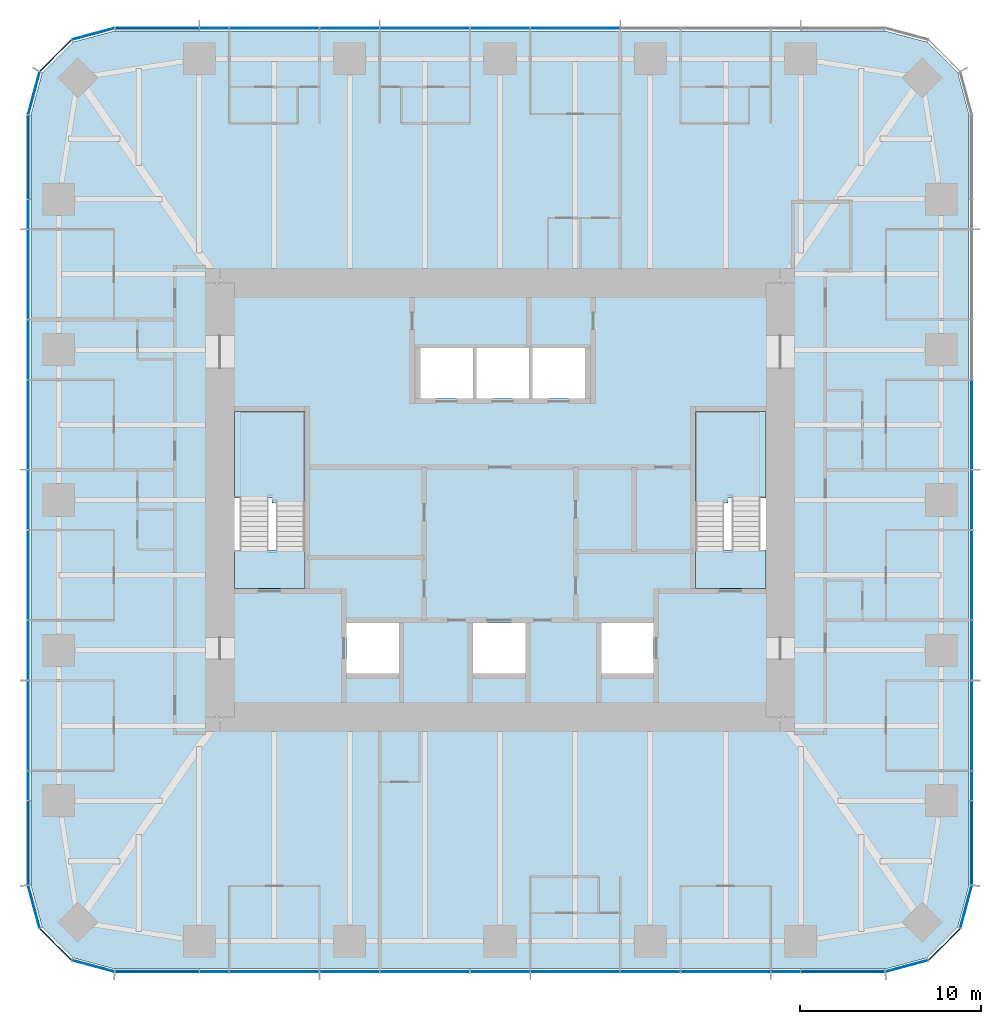
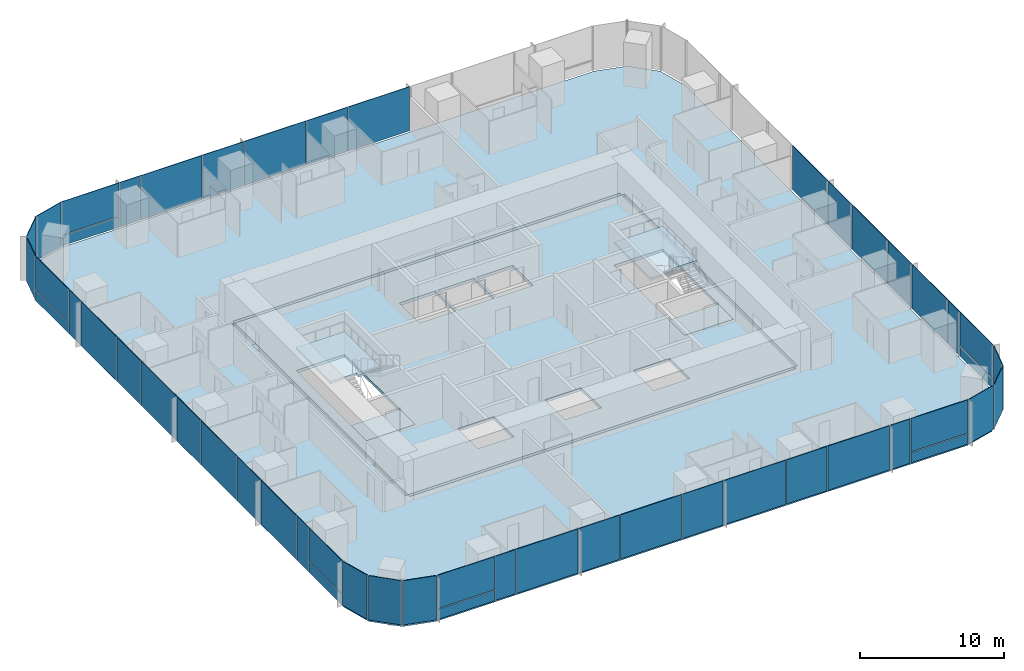
# One storey, part 7 of 12: 51 plates, 6 slabs, 9 elements without a shape of their own.
"""IFC4 building model written with IfcOpenShell, lengths in metres."""

from ifc_helpers import new_model, si_unit, direction, frame, origin, origin_2d, place, context, subcontext, project, spatial, polyline, rectangle, outline, extrude, material, layer, layer_set, type_object, element, aggregate, save


model = new_model("IFC4")

# Units and contexts
model_context = context("Model", 3, precision=1e-05, world=origin(), true_north=direction((0.0, 1.0)))
body_context = subcontext(model_context, "Body", "Model", "MODEL_VIEW")
ifc_project = project(units=[si_unit("LENGTHUNIT", "METRE"), si_unit("AREAUNIT", "SQUARE_METRE"), si_unit("VOLUMEUNIT", "CUBIC_METRE"), si_unit("PLANEANGLEUNIT", "RADIAN"), si_unit("MASSUNIT", "GRAM", prefix="KILO")], contexts=[model_context])

# Site, building, storey
site_placement = place(None, origin())
site = spatial("IfcSite", under=ifc_project, at=site_placement, CompositionType="ELEMENT")
building_placement = place(site_placement, origin())
building = spatial("IfcBuilding", under=site, at=building_placement, Name="Khuree Lantern Residences", CompositionType="ELEMENT")
storey_placement = place(building_placement, frame((0.0, 0.0, 240.75)))
storey = spatial("IfcBuildingStorey", under=building, at=storey_placement, Name="L60", CompositionType="ELEMENT", Elevation=240.75)

# Slab
ifc_material_1 = material(Name="Concrete C35/45", Category="concrete")
ifc_layer_1 = layer(ifc_material_1, 0.25)
ifc_layer_set_1 = layer_set([ifc_layer_1], Name="CFL250 CORE FLOOR SLAB 250")
slab_type_1 = type_object("IfcSlabType", Name="CFL250 CORE FLOOR SLAB 250", PredefinedType="FLOOR", material=ifc_layer_set_1)
slab_1_placement = place(storey_placement, frame((0.0, 0.0, -0.25)))
element("IfcSlab", 1, at=slab_1_placement, inside=storey, type_object=slab_type_1, Name="Core floor L60", PredefinedType="FLOOR", context=body_context, shape_type="SweptSolid", body=[
    extrude(outline(polyline([(-15.5, -12.0), (-15.5, 12.0), (15.5, 12.0), (15.5, -12.0), (-15.5, -12.0)]), holes=[polyline([(10.800048828125, 4.89990234375), (10.800048828125, -4.89990234375), (14.699951171875, -4.89990234375), (14.699951171875, 4.89990234375), (10.800048828125, 4.89990234375)]), polyline([(5.60009765625, -6.800048828125), (5.60009765625, -9.60009765625), (8.5, -9.60009765625), (8.5, -6.800048828125), (5.60009765625, -6.800048828125)]), polyline([(1.800048828125, 8.39990234375), (1.800048828125, 5.60009765625), (4.699951171875, 5.60009765625), (4.699951171875, 8.39990234375), (1.800048828125, 8.39990234375)]), polyline([(-1.300048828125, 8.39990234375), (-1.300048828125, 5.60009765625), (1.60009765625, 5.60009765625), (1.60009765625, 8.39990234375), (-1.300048828125, 8.39990234375)]), polyline([(-1.5, -6.800048828125), (-1.5, -9.60009765625), (1.39990234375, -9.60009765625), (1.39990234375, -6.800048828125), (-1.5, -6.800048828125)]), polyline([(-4.39990234375, 8.39990234375), (-4.39990234375, 5.60009765625), (-1.5, 5.60009765625), (-1.5, 8.39990234375), (-4.39990234375, 8.39990234375)]), polyline([(-8.5, -6.800048828125), (-8.5, -9.60009765625), (-5.60009765625, -9.60009765625), (-5.60009765625, -6.800048828125), (-8.5, -6.800048828125)]), polyline([(-14.699951171875, 4.89990234375), (-14.699951171875, -4.89990234375), (-10.800048828125, -4.89990234375), (-10.800048828125, 4.89990234375), (-14.699951171875, 4.89990234375)])]), origin(), (0.0, 0.0, 1.0), 0.25),
])

# Curtain wall, plates
ifc_material_2 = material(Name="Bronze anodised aluminium", Category="aluminium")
curtain_wall_type_1 = type_object("IfcCurtainWallType", Name="CW-T2 TOWER CORNER CURTAIN WALL", PredefinedType="USERDEFINED", material=ifc_material_2)
curtain_wall_1_placement = place(storey_placement, origin())
curtain_wall_1 = element("IfcCurtainWall", 2, at=curtain_wall_1_placement, inside=storey, type_object=curtain_wall_type_1, Name="L60 SOUTH-EAST CORNER CURTAIN WALL", ObjectType="Faceted corner curtain wall", PredefinedType="USERDEFINED")
ifc_material_3 = material(Name="Bronze tinted triple glazing", Category="glass")
ifc_layer_2 = layer(ifc_material_3, 0.048095703125)
ifc_layer_set_2 = layer_set([ifc_layer_2], Name="FACET PANEL P4")
plate_type_1 = type_object("IfcPlateType", Name="FACET PANEL P4", PredefinedType="CURTAIN_PANEL", material=ifc_layer_set_2)
plate_1_placement = place(storey_placement, frame((22.498046875, -25.779052734375, 0.0), z_axis=(0.0, 0.0, 1.0), x_axis=(0.965925832509, 0.258819021888, 0.0)))
plate_1 = element("IfcPlate", 3, at=plate_1_placement, type_object=plate_type_1, Name="L60 SOUTH-EAST CORNER PANEL 1.1", PredefinedType="CURTAIN_PANEL", context=body_context, shape_type="SweptSolid", body=[
    extrude(rectangle(XDim=2.40869140625, YDim=0.048095703125, at=origin_2d()), origin(), (0.0, 0.0, 1.0), 3.75),
])
plate_2_placement = place(storey_placement, frame((24.578369140625, -24.578369140625, 0.0), z_axis=(0.0, 0.0, 1.0), x_axis=(0.707106781187, 0.707106781187, 0.0)))
plate_2 = element("IfcPlate", 4, at=plate_2_placement, type_object=plate_type_1, Name="L60 SOUTH-EAST CORNER PANEL 2.1", PredefinedType="CURTAIN_PANEL", context=body_context, shape_type="SweptSolid", body=[
    extrude(rectangle(XDim=2.404541015625, YDim=0.048095703125, at=origin_2d()), origin(), (0.0, 0.0, 1.0), 3.75),
])
plate_3_placement = place(storey_placement, frame((25.779052734375, -22.498046875, 0.0), z_axis=(0.0, 0.0, 1.0), x_axis=(0.258819021888, 0.965925832509, 0.0)))
plate_3 = element("IfcPlate", 5, at=plate_3_placement, type_object=plate_type_1, Name="L60 SOUTH-EAST CORNER PANEL 3.1", PredefinedType="CURTAIN_PANEL", context=body_context, shape_type="SweptSolid", body=[
    extrude(rectangle(XDim=2.40869140625, YDim=0.048095703125, at=origin_2d()), origin(), (0.0, 0.0, 1.0), 3.75),
])
aggregate(curtain_wall_1, [plate_1, plate_2, plate_3])

curtain_wall_2_placement = place(storey_placement, origin())
curtain_wall_2 = element("IfcCurtainWall", 6, at=curtain_wall_2_placement, inside=storey, type_object=curtain_wall_type_1, Name="L60 NORTH-WEST CORNER CURTAIN WALL", ObjectType="Faceted corner curtain wall", PredefinedType="USERDEFINED")
plate_4_placement = place(storey_placement, frame((-22.498046875, 25.779052734375, 0.0), z_axis=(0.0, 0.0, 1.0), x_axis=(-0.965925832509, -0.258819021888, 0.0)))
plate_4 = element("IfcPlate", 7, at=plate_4_placement, type_object=plate_type_1, Name="L60 NORTH-WEST CORNER PANEL 29.1", PredefinedType="CURTAIN_PANEL", context=body_context, shape_type="SweptSolid", body=[
    extrude(rectangle(XDim=2.40869140625, YDim=0.048095703125, at=origin_2d()), origin(), (0.0, 0.0, 1.0), 3.75),
])
plate_5_placement = place(storey_placement, frame((-24.578369140625, 24.578369140625, 0.0), z_axis=(0.0, 0.0, 1.0), x_axis=(-0.707106781187, -0.707106781187, 0.0)))
plate_5 = element("IfcPlate", 8, at=plate_5_placement, type_object=plate_type_1, Name="L60 NORTH-WEST CORNER PANEL 30.1", PredefinedType="CURTAIN_PANEL", context=body_context, shape_type="SweptSolid", body=[
    extrude(rectangle(XDim=2.404541015625, YDim=0.048095703125, at=origin_2d()), origin(), (0.0, 0.0, 1.0), 3.75),
])
plate_6_placement = place(storey_placement, frame((-25.779052734375, 22.498046875, 0.0), z_axis=(0.0, 0.0, 1.0), x_axis=(-0.258819021888, -0.965925832509, 0.0)))
plate_6 = element("IfcPlate", 9, at=plate_6_placement, type_object=plate_type_1, Name="L60 NORTH-WEST CORNER PANEL 31.1", PredefinedType="CURTAIN_PANEL", context=body_context, shape_type="SweptSolid", body=[
    extrude(rectangle(XDim=2.40869140625, YDim=0.048095703125, at=origin_2d()), origin(), (0.0, 0.0, 1.0), 3.75),
])
aggregate(curtain_wall_2, [plate_4, plate_5, plate_6])

curtain_wall_3_placement = place(storey_placement, origin())
curtain_wall_3 = element("IfcCurtainWall", 10, at=curtain_wall_3_placement, inside=storey, type_object=curtain_wall_type_1, Name="L60 SOUTH-WEST CORNER CURTAIN WALL", ObjectType="Faceted corner curtain wall", PredefinedType="USERDEFINED")
plate_7_placement = place(storey_placement, frame((-25.779052734375, -22.498046875, 0.0), z_axis=(0.0, 0.0, 1.0), x_axis=(0.258819021888, -0.965925832509, 0.0)))
plate_7 = element("IfcPlate", 11, at=plate_7_placement, type_object=plate_type_1, Name="L60 SOUTH-WEST CORNER PANEL 43.1", PredefinedType="CURTAIN_PANEL", context=body_context, shape_type="SweptSolid", body=[
    extrude(rectangle(XDim=2.40869140625, YDim=0.048095703125, at=origin_2d()), origin(), (0.0, 0.0, 1.0), 3.75),
])
plate_8_placement = place(storey_placement, frame((-24.578369140625, -24.578369140625, 0.0), z_axis=(0.0, 0.0, 1.0), x_axis=(0.707106781187, -0.707106781187, 0.0)))
plate_8 = element("IfcPlate", 12, at=plate_8_placement, type_object=plate_type_1, Name="L60 SOUTH-WEST CORNER PANEL 44.1", PredefinedType="CURTAIN_PANEL", context=body_context, shape_type="SweptSolid", body=[
    extrude(rectangle(XDim=2.404541015625, YDim=0.048095703125, at=origin_2d()), origin(), (0.0, 0.0, 1.0), 3.75),
])
plate_9_placement = place(storey_placement, frame((-22.498046875, -25.779052734375, 0.0), z_axis=(0.0, 0.0, 1.0), x_axis=(0.965925832509, -0.258819021888, 0.0)))
plate_9 = element("IfcPlate", 13, at=plate_9_placement, type_object=plate_type_1, Name="L60 SOUTH-WEST CORNER PANEL 45.1", PredefinedType="CURTAIN_PANEL", context=body_context, shape_type="SweptSolid", body=[
    extrude(rectangle(XDim=2.40869140625, YDim=0.048095703125, at=origin_2d()), origin(), (0.0, 0.0, 1.0), 3.75),
])
aggregate(curtain_wall_3, [plate_7, plate_8, plate_9])

curtain_wall_type_2 = type_object("IfcCurtainWallType", Name="CW-T1 TOWER FACE CURTAIN WALL", PredefinedType="USERDEFINED", material=ifc_material_2)
curtain_wall_4_placement = place(storey_placement, origin())
curtain_wall_4 = element("IfcCurtainWall", 14, at=curtain_wall_4_placement, inside=storey, type_object=curtain_wall_type_2, Name="L60 EAST FACE CURTAIN WALL", ObjectType="Stick-built curtain wall", PredefinedType="USERDEFINED")
ifc_material_4 = material(Name="Bronze tinted triple glazing with a ceramic-fritted spandrel band", Category="glass")
ifc_layer_3 = layer(ifc_material_4, 0.048095703125)
ifc_layer_set_3 = layer_set([ifc_layer_3], Name="FIXED LIGHT PANEL P11")
plate_type_2 = type_object("IfcPlateType", Name="FIXED LIGHT PANEL P11", PredefinedType="CURTAIN_PANEL", material=ifc_layer_set_3)
plate_10_placement = place(storey_placement, frame((26.10009765625, -12.47998046875, 0.0), z_axis=(0.0, 0.0, 1.0), x_axis=(0.0, 1.0, 0.0)))
plate_10 = element("IfcPlate", 15, at=plate_10_placement, type_object=plate_type_2, Name="L60 EAST FACE PANEL 6.1", PredefinedType="CURTAIN_PANEL", context=body_context, shape_type="SweptSolid", body=[
    extrude(rectangle(XDim=4.927001953125, YDim=0.048095703125, at=origin_2d()), origin(), (0.0, 0.0, 1.0), 3.75),
])
plate_11_placement = place(storey_placement, frame((26.10009765625, -4.159912109375, 0.0), z_axis=(0.0, 0.0, 1.0), x_axis=(0.0, 1.0, 0.0)))
plate_11 = element("IfcPlate", 16, at=plate_11_placement, type_object=plate_type_2, Name="L60 EAST FACE PANEL 8.1", PredefinedType="CURTAIN_PANEL", context=body_context, shape_type="SweptSolid", body=[
    extrude(rectangle(XDim=4.927001953125, YDim=0.048095703125, at=origin_2d()), origin(), (0.0, 0.0, 1.0), 3.75),
])
plate_12_placement = place(storey_placement, frame((26.10009765625, 4.159912109375, 0.0), z_axis=(0.0, 0.0, 1.0), x_axis=(0.0, 1.0, 0.0)))
plate_12 = element("IfcPlate", 17, at=plate_12_placement, type_object=plate_type_2, Name="L60 EAST FACE PANEL 10.1", PredefinedType="CURTAIN_PANEL", context=body_context, shape_type="SweptSolid", body=[
    extrude(rectangle(XDim=4.927001953125, YDim=0.048095703125, at=origin_2d()), origin(), (0.0, 0.0, 1.0), 3.75),
])

curtain_wall_5_placement = place(storey_placement, origin())
curtain_wall_5 = element("IfcCurtainWall", 18, at=curtain_wall_5_placement, inside=storey, type_object=curtain_wall_type_2, Name="L60 NORTH FACE CURTAIN WALL", ObjectType="Stick-built curtain wall", PredefinedType="USERDEFINED")
plate_13_placement = place(storey_placement, frame((4.159912109375, 26.10009765625, 0.0), z_axis=(0.0, 0.0, 1.0), x_axis=(-1.0, 0.0, 0.0)))
plate_13 = element("IfcPlate", 19, at=plate_13_placement, type_object=plate_type_2, Name="L60 NORTH FACE PANEL 22.1", PredefinedType="CURTAIN_PANEL", context=body_context, shape_type="SweptSolid", body=[
    extrude(rectangle(XDim=4.927001953125, YDim=0.048095703125, at=origin_2d()), origin(), (0.0, 0.0, 1.0), 3.75),
])
plate_14_placement = place(storey_placement, frame((-4.159912109375, 26.10009765625, 0.0), z_axis=(0.0, 0.0, 1.0), x_axis=(-1.0, 0.0, 0.0)))
plate_14 = element("IfcPlate", 20, at=plate_14_placement, type_object=plate_type_2, Name="L60 NORTH FACE PANEL 24.1", PredefinedType="CURTAIN_PANEL", context=body_context, shape_type="SweptSolid", body=[
    extrude(rectangle(XDim=4.927001953125, YDim=0.048095703125, at=origin_2d()), origin(), (0.0, 0.0, 1.0), 3.75),
])
plate_15_placement = place(storey_placement, frame((-12.47998046875, 26.10009765625, 0.0), z_axis=(0.0, 0.0, 1.0), x_axis=(-1.0, 0.0, 0.0)))
plate_15 = element("IfcPlate", 21, at=plate_15_placement, type_object=plate_type_2, Name="L60 NORTH FACE PANEL 26.1", PredefinedType="CURTAIN_PANEL", context=body_context, shape_type="SweptSolid", body=[
    extrude(rectangle(XDim=4.927001953125, YDim=0.048095703125, at=origin_2d()), origin(), (0.0, 0.0, 1.0), 3.75),
])

curtain_wall_6_placement = place(storey_placement, origin())
curtain_wall_6 = element("IfcCurtainWall", 22, at=curtain_wall_6_placement, inside=storey, type_object=curtain_wall_type_2, Name="L60 WEST FACE CURTAIN WALL", ObjectType="Stick-built curtain wall", PredefinedType="USERDEFINED")
plate_16_placement = place(storey_placement, frame((-26.10009765625, 12.47998046875, 0.0), z_axis=(0.0, 0.0, 1.0), x_axis=(0.0, -1.0, 0.0)))
plate_16 = element("IfcPlate", 23, at=plate_16_placement, type_object=plate_type_2, Name="L60 WEST FACE PANEL 34.1", PredefinedType="CURTAIN_PANEL", context=body_context, shape_type="SweptSolid", body=[
    extrude(rectangle(XDim=4.927001953125, YDim=0.048095703125, at=origin_2d()), origin(), (0.0, 0.0, 1.0), 3.75),
])
plate_17_placement = place(storey_placement, frame((-26.10009765625, 4.159912109375, 0.0), z_axis=(0.0, 0.0, 1.0), x_axis=(0.0, -1.0, 0.0)))
plate_17 = element("IfcPlate", 24, at=plate_17_placement, type_object=plate_type_2, Name="L60 WEST FACE PANEL 36.1", PredefinedType="CURTAIN_PANEL", context=body_context, shape_type="SweptSolid", body=[
    extrude(rectangle(XDim=4.927001953125, YDim=0.048095703125, at=origin_2d()), origin(), (0.0, 0.0, 1.0), 3.75),
])
plate_18_placement = place(storey_placement, frame((-26.10009765625, -4.159912109375, 0.0), z_axis=(0.0, 0.0, 1.0), x_axis=(0.0, -1.0, 0.0)))
plate_18 = element("IfcPlate", 25, at=plate_18_placement, type_object=plate_type_2, Name="L60 WEST FACE PANEL 38.1", PredefinedType="CURTAIN_PANEL", context=body_context, shape_type="SweptSolid", body=[
    extrude(rectangle(XDim=4.927001953125, YDim=0.048095703125, at=origin_2d()), origin(), (0.0, 0.0, 1.0), 3.75),
])
plate_19_placement = place(storey_placement, frame((-26.10009765625, -12.47998046875, 0.0), z_axis=(0.0, 0.0, 1.0), x_axis=(0.0, -1.0, 0.0)))
plate_19 = element("IfcPlate", 26, at=plate_19_placement, type_object=plate_type_2, Name="L60 WEST FACE PANEL 40.1", PredefinedType="CURTAIN_PANEL", context=body_context, shape_type="SweptSolid", body=[
    extrude(rectangle(XDim=4.927001953125, YDim=0.048095703125, at=origin_2d()), origin(), (0.0, 0.0, 1.0), 3.75),
])

curtain_wall_7_placement = place(storey_placement, origin())
curtain_wall_7 = element("IfcCurtainWall", 27, at=curtain_wall_7_placement, inside=storey, type_object=curtain_wall_type_2, Name="L60 SOUTH FACE CURTAIN WALL", ObjectType="Stick-built curtain wall", PredefinedType="USERDEFINED")
plate_20_placement = place(storey_placement, frame((-12.47998046875, -26.10009765625, 0.0), z_axis=(0.0, 0.0, 1.0), x_axis=(1.0, 0.0, 0.0)))
plate_20 = element("IfcPlate", 28, at=plate_20_placement, type_object=plate_type_2, Name="L60 SOUTH FACE PANEL 48.1", PredefinedType="CURTAIN_PANEL", context=body_context, shape_type="SweptSolid", body=[
    extrude(rectangle(XDim=4.927001953125, YDim=0.048095703125, at=origin_2d()), origin(), (0.0, 0.0, 1.0), 3.75),
])
plate_21_placement = place(storey_placement, frame((-4.159912109375, -26.10009765625, 0.0), z_axis=(0.0, 0.0, 1.0), x_axis=(1.0, 0.0, 0.0)))
plate_21 = element("IfcPlate", 29, at=plate_21_placement, type_object=plate_type_2, Name="L60 SOUTH FACE PANEL 50.1", PredefinedType="CURTAIN_PANEL", context=body_context, shape_type="SweptSolid", body=[
    extrude(rectangle(XDim=4.927001953125, YDim=0.048095703125, at=origin_2d()), origin(), (0.0, 0.0, 1.0), 3.75),
])
plate_22_placement = place(storey_placement, frame((4.159912109375, -26.10009765625, 0.0), z_axis=(0.0, 0.0, 1.0), x_axis=(1.0, 0.0, 0.0)))
plate_22 = element("IfcPlate", 30, at=plate_22_placement, type_object=plate_type_2, Name="L60 SOUTH FACE PANEL 52.1", PredefinedType="CURTAIN_PANEL", context=body_context, shape_type="SweptSolid", body=[
    extrude(rectangle(XDim=4.927001953125, YDim=0.048095703125, at=origin_2d()), origin(), (0.0, 0.0, 1.0), 3.75),
])
plate_23_placement = place(storey_placement, frame((12.47998046875, -26.10009765625, 0.0), z_axis=(0.0, 0.0, 1.0), x_axis=(1.0, 0.0, 0.0)))
plate_23 = element("IfcPlate", 31, at=plate_23_placement, type_object=plate_type_2, Name="L60 SOUTH FACE PANEL 54.1", PredefinedType="CURTAIN_PANEL", context=body_context, shape_type="SweptSolid", body=[
    extrude(rectangle(XDim=4.927001953125, YDim=0.048095703125, at=origin_2d()), origin(), (0.0, 0.0, 1.0), 3.75),
])

# Slab
ifc_layer_4 = layer(ifc_material_1, 0.25)
ifc_layer_set_4 = layer_set([ifc_layer_4], Name="FS250 FLOOR SLAB 250")
slab_type_2 = type_object("IfcSlabType", Name="FS250 FLOOR SLAB 250", PredefinedType="FLOOR", material=ifc_layer_set_4)
slab_2_placement = place(storey_placement, frame((0.0, 0.0, -0.25)))
element("IfcSlab", 32, at=slab_2_placement, inside=storey, type_object=slab_type_2, Name="Floor slab L60", PredefinedType="FLOOR", context=body_context, shape_type="SweptSolid", body=[
    extrude(outline(polyline([(-23.625, -25.326904296875), (-25.326904296875, -23.625), (-25.949951171875, -21.300048828125), (-25.949951171875, 21.300048828125), (-25.326904296875, 23.625), (-23.625, 25.326904296875), (-21.300048828125, 25.949951171875), (21.300048828125, 25.949951171875), (23.625, 25.326904296875), (25.326904296875, 23.625), (25.949951171875, 21.300048828125), (25.949951171875, -21.300048828125), (25.326904296875, -23.625), (23.625, -25.326904296875), (21.300048828125, -25.949951171875), (-21.300048828125, -25.949951171875), (-23.625, -25.326904296875)]), holes=[polyline([(15.75, 12.0), (15.5, 12.0), (15.5, 12.25), (-15.5, 12.25), (-15.5, 12.0), (-15.75, 12.0), (-15.75, -12.0), (-15.5, -12.0), (-15.5, -12.25), (15.5, -12.25), (15.5, -12.0), (15.75, -12.0), (15.75, 12.0)])]), origin(), (0.0, 0.0, 1.0), 0.25),
])

# Plate
ifc_material_5 = material(Name="Bronze tinted triple glazing, two aluminium-framed sashes in one frame", Category="aluminium")
ifc_layer_5 = layer(ifc_material_5, 0.048095703125)
ifc_layer_set_5 = layer_set([ifc_layer_5], Name="SASH PAIR PANEL P12")
plate_type_3 = type_object("IfcPlateType", Name="SASH PAIR PANEL P12", PredefinedType="CURTAIN_PANEL", material=ifc_layer_set_5)
plate_24_placement = place(storey_placement, frame((26.10009765625, -8.320068359375, 0.0), z_axis=(0.0, 0.0, 1.0), x_axis=(0.0, 1.0, 0.0)))
plate_24 = element("IfcPlate", 33, at=plate_24_placement, type_object=plate_type_3, Name="L60 EAST FACE PANEL 7.1", PredefinedType="CURTAIN_PANEL", context=body_context, shape_type="SweptSolid", body=[
    extrude(rectangle(XDim=3.262939453125, YDim=0.048095703125, at=origin_2d()), origin(), (0.0, 0.0, 1.0), 3.75),
])

plate_25_placement = place(storey_placement, frame((26.10009765625, 0.0, 0.0), z_axis=(0.0, 0.0, 1.0), x_axis=(0.0, 1.0, 0.0)))
plate_25 = element("IfcPlate", 34, at=plate_25_placement, type_object=plate_type_3, Name="L60 EAST FACE PANEL 9.1", PredefinedType="CURTAIN_PANEL", context=body_context, shape_type="SweptSolid", body=[
    extrude(rectangle(XDim=3.262939453125, YDim=0.048095703125, at=origin_2d()), origin(), (0.0, 0.0, 1.0), 3.75),
])

plate_26_placement = place(storey_placement, frame((0.0, 26.10009765625, 0.0), z_axis=(0.0, 0.0, 1.0), x_axis=(-1.0, 0.0, 0.0)))
plate_26 = element("IfcPlate", 35, at=plate_26_placement, type_object=plate_type_3, Name="L60 NORTH FACE PANEL 23.1", PredefinedType="CURTAIN_PANEL", context=body_context, shape_type="SweptSolid", body=[
    extrude(rectangle(XDim=3.262939453125, YDim=0.048095703125, at=origin_2d()), origin(), (0.0, 0.0, 1.0), 3.75),
])

plate_27_placement = place(storey_placement, frame((-8.320068359375, 26.10009765625, 0.0), z_axis=(0.0, 0.0, 1.0), x_axis=(-1.0, 0.0, 0.0)))
plate_27 = element("IfcPlate", 36, at=plate_27_placement, type_object=plate_type_3, Name="L60 NORTH FACE PANEL 25.1", PredefinedType="CURTAIN_PANEL", context=body_context, shape_type="SweptSolid", body=[
    extrude(rectangle(XDim=3.262939453125, YDim=0.048095703125, at=origin_2d()), origin(), (0.0, 0.0, 1.0), 3.75),
])

plate_28_placement = place(storey_placement, frame((-26.10009765625, 8.320068359375, 0.0), z_axis=(0.0, 0.0, 1.0), x_axis=(0.0, -1.0, 0.0)))
plate_28 = element("IfcPlate", 37, at=plate_28_placement, type_object=plate_type_3, Name="L60 WEST FACE PANEL 35.1", PredefinedType="CURTAIN_PANEL", context=body_context, shape_type="SweptSolid", body=[
    extrude(rectangle(XDim=3.262939453125, YDim=0.048095703125, at=origin_2d()), origin(), (0.0, 0.0, 1.0), 3.75),
])

plate_29_placement = place(storey_placement, frame((-26.10009765625, 0.0, 0.0), z_axis=(0.0, 0.0, 1.0), x_axis=(0.0, -1.0, 0.0)))
plate_29 = element("IfcPlate", 38, at=plate_29_placement, type_object=plate_type_3, Name="L60 WEST FACE PANEL 37.1", PredefinedType="CURTAIN_PANEL", context=body_context, shape_type="SweptSolid", body=[
    extrude(rectangle(XDim=3.262939453125, YDim=0.048095703125, at=origin_2d()), origin(), (0.0, 0.0, 1.0), 3.75),
])

plate_30_placement = place(storey_placement, frame((-26.10009765625, -8.320068359375, 0.0), z_axis=(0.0, 0.0, 1.0), x_axis=(0.0, -1.0, 0.0)))
plate_30 = element("IfcPlate", 39, at=plate_30_placement, type_object=plate_type_3, Name="L60 WEST FACE PANEL 39.1", PredefinedType="CURTAIN_PANEL", context=body_context, shape_type="SweptSolid", body=[
    extrude(rectangle(XDim=3.262939453125, YDim=0.048095703125, at=origin_2d()), origin(), (0.0, 0.0, 1.0), 3.75),
])

plate_31_placement = place(storey_placement, frame((-8.320068359375, -26.10009765625, 0.0), z_axis=(0.0, 0.0, 1.0), x_axis=(1.0, 0.0, 0.0)))
plate_31 = element("IfcPlate", 40, at=plate_31_placement, type_object=plate_type_3, Name="L60 SOUTH FACE PANEL 49.1", PredefinedType="CURTAIN_PANEL", context=body_context, shape_type="SweptSolid", body=[
    extrude(rectangle(XDim=3.262939453125, YDim=0.048095703125, at=origin_2d()), origin(), (0.0, 0.0, 1.0), 3.75),
])

plate_32_placement = place(storey_placement, frame((0.0, -26.10009765625, 0.0), z_axis=(0.0, 0.0, 1.0), x_axis=(1.0, 0.0, 0.0)))
plate_32 = element("IfcPlate", 41, at=plate_32_placement, type_object=plate_type_3, Name="L60 SOUTH FACE PANEL 51.1", PredefinedType="CURTAIN_PANEL", context=body_context, shape_type="SweptSolid", body=[
    extrude(rectangle(XDim=3.262939453125, YDim=0.048095703125, at=origin_2d()), origin(), (0.0, 0.0, 1.0), 3.75),
])

plate_33_placement = place(storey_placement, frame((8.320068359375, -26.10009765625, 0.0), z_axis=(0.0, 0.0, 1.0), x_axis=(1.0, 0.0, 0.0)))
plate_33 = element("IfcPlate", 42, at=plate_33_placement, type_object=plate_type_3, Name="L60 SOUTH FACE PANEL 53.1", PredefinedType="CURTAIN_PANEL", context=body_context, shape_type="SweptSolid", body=[
    extrude(rectangle(XDim=3.262939453125, YDim=0.048095703125, at=origin_2d()), origin(), (0.0, 0.0, 1.0), 3.75),
])

ifc_material_6 = material(Name="Bronze tinted triple glazing, aluminium-framed sash", Category="aluminium")
ifc_layer_6 = layer(ifc_material_6, 0.048095703125)
ifc_layer_set_6 = layer_set([ifc_layer_6], Name="SASH PANEL P3")
plate_type_4 = type_object("IfcPlateType", Name="SASH PANEL P3", PredefinedType="CURTAIN_PANEL", material=ifc_layer_set_6)
plate_34_placement = place(storey_placement, frame((26.10009765625, -15.80810546875, 0.0), z_axis=(0.0, 0.0, 1.0), x_axis=(0.0, 1.0, 0.0)))
plate_34 = element("IfcPlate", 43, at=plate_34_placement, type_object=plate_type_4, Name="L60 EAST FACE PANEL 5.1", PredefinedType="CURTAIN_PANEL", context=body_context, shape_type="SweptSolid", body=[
    extrude(rectangle(XDim=1.59912109375, YDim=0.048095703125, at=origin_2d()), origin(), (0.0, 0.0, 1.0), 3.75),
])

plate_35_placement = place(storey_placement, frame((-15.80810546875, 26.10009765625, 0.0), z_axis=(0.0, 0.0, 1.0), x_axis=(-1.0, 0.0, 0.0)))
plate_35 = element("IfcPlate", 44, at=plate_35_placement, type_object=plate_type_4, Name="L60 NORTH FACE PANEL 27.1", PredefinedType="CURTAIN_PANEL", context=body_context, shape_type="SweptSolid", body=[
    extrude(rectangle(XDim=1.59912109375, YDim=0.048095703125, at=origin_2d()), origin(), (0.0, 0.0, 1.0), 3.75),
])

plate_36_placement = place(storey_placement, frame((-26.10009765625, 15.80810546875, 0.0), z_axis=(0.0, 0.0, 1.0), x_axis=(0.0, -1.0, 0.0)))
plate_36 = element("IfcPlate", 45, at=plate_36_placement, type_object=plate_type_4, Name="L60 WEST FACE PANEL 33.1", PredefinedType="CURTAIN_PANEL", context=body_context, shape_type="SweptSolid", body=[
    extrude(rectangle(XDim=1.59912109375, YDim=0.048095703125, at=origin_2d()), origin(), (0.0, 0.0, 1.0), 3.75),
])

plate_37_placement = place(storey_placement, frame((-26.10009765625, -15.80810546875, 0.0), z_axis=(0.0, 0.0, 1.0), x_axis=(0.0, -1.0, 0.0)))
plate_37 = element("IfcPlate", 46, at=plate_37_placement, type_object=plate_type_4, Name="L60 WEST FACE PANEL 41.1", PredefinedType="CURTAIN_PANEL", context=body_context, shape_type="SweptSolid", body=[
    extrude(rectangle(XDim=1.59912109375, YDim=0.048095703125, at=origin_2d()), origin(), (0.0, 0.0, 1.0), 3.75),
])

plate_38_placement = place(storey_placement, frame((-15.80810546875, -26.10009765625, 0.0), z_axis=(0.0, 0.0, 1.0), x_axis=(1.0, 0.0, 0.0)))
plate_38 = element("IfcPlate", 47, at=plate_38_placement, type_object=plate_type_4, Name="L60 SOUTH FACE PANEL 47.1", PredefinedType="CURTAIN_PANEL", context=body_context, shape_type="SweptSolid", body=[
    extrude(rectangle(XDim=1.59912109375, YDim=0.048095703125, at=origin_2d()), origin(), (0.0, 0.0, 1.0), 3.75),
])

plate_39_placement = place(storey_placement, frame((15.80810546875, -26.10009765625, 0.0), z_axis=(0.0, 0.0, 1.0), x_axis=(1.0, 0.0, 0.0)))
plate_39 = element("IfcPlate", 48, at=plate_39_placement, type_object=plate_type_4, Name="L60 SOUTH FACE PANEL 55.1", PredefinedType="CURTAIN_PANEL", context=body_context, shape_type="SweptSolid", body=[
    extrude(rectangle(XDim=1.59912109375, YDim=0.048095703125, at=origin_2d()), origin(), (0.0, 0.0, 1.0), 3.75),
])

ifc_material_7 = material(Name="Bronze anodised aluminium insulated spandrel", Category="aluminium")
ifc_layer_7 = layer(ifc_material_7, 0.06005859375)
ifc_layer_set_7 = layer_set([ifc_layer_7], Name="SPANDREL PANEL P2")
plate_type_5 = type_object("IfcPlateType", Name="SPANDREL PANEL P2", PredefinedType="CURTAIN_PANEL", material=ifc_layer_set_7)
plate_40_placement = place(storey_placement, frame((26.10009765625, -18.9677734375, 0.0), z_axis=(0.0, 0.0, 1.0), x_axis=(0.0, 1.0, 0.0)))
plate_40 = element("IfcPlate", 49, at=plate_40_placement, type_object=plate_type_5, Name="L60 EAST FACE PANEL 4.1", PredefinedType="CURTAIN_PANEL", context=body_context, shape_type="SweptSolid", body=[
    extrude(rectangle(XDim=4.5908203125, YDim=0.06005859375, at=origin_2d()), origin(), (0.0, 0.0, 1.0), 0.867431640625),
])

plate_41_placement = place(storey_placement, frame((-18.9677734375, 26.10009765625, 0.0), z_axis=(0.0, 0.0, 1.0), x_axis=(-1.0, 0.0, 0.0)))
plate_41 = element("IfcPlate", 50, at=plate_41_placement, type_object=plate_type_5, Name="L60 NORTH FACE PANEL 28.1", PredefinedType="CURTAIN_PANEL", context=body_context, shape_type="SweptSolid", body=[
    extrude(rectangle(XDim=4.5908203125, YDim=0.06005859375, at=origin_2d()), origin(), (0.0, 0.0, 1.0), 0.867431640625),
])

plate_42_placement = place(storey_placement, frame((-26.10009765625, 18.9677734375, 0.0), z_axis=(0.0, 0.0, 1.0), x_axis=(0.0, -1.0, 0.0)))
plate_42 = element("IfcPlate", 51, at=plate_42_placement, type_object=plate_type_5, Name="L60 WEST FACE PANEL 32.1", PredefinedType="CURTAIN_PANEL", context=body_context, shape_type="SweptSolid", body=[
    extrude(rectangle(XDim=4.5908203125, YDim=0.06005859375, at=origin_2d()), origin(), (0.0, 0.0, 1.0), 0.867431640625),
])

plate_43_placement = place(storey_placement, frame((-26.10009765625, -18.9677734375, 0.0), z_axis=(0.0, 0.0, 1.0), x_axis=(0.0, -1.0, 0.0)))
plate_43 = element("IfcPlate", 52, at=plate_43_placement, type_object=plate_type_5, Name="L60 WEST FACE PANEL 42.1", PredefinedType="CURTAIN_PANEL", context=body_context, shape_type="SweptSolid", body=[
    extrude(rectangle(XDim=4.5908203125, YDim=0.06005859375, at=origin_2d()), origin(), (0.0, 0.0, 1.0), 0.867431640625),
])

plate_44_placement = place(storey_placement, frame((-18.9677734375, -26.10009765625, 0.0), z_axis=(0.0, 0.0, 1.0), x_axis=(1.0, 0.0, 0.0)))
plate_44 = element("IfcPlate", 53, at=plate_44_placement, type_object=plate_type_5, Name="L60 SOUTH FACE PANEL 46.1", PredefinedType="CURTAIN_PANEL", context=body_context, shape_type="SweptSolid", body=[
    extrude(rectangle(XDim=4.5908203125, YDim=0.06005859375, at=origin_2d()), origin(), (0.0, 0.0, 1.0), 0.867431640625),
])

plate_45_placement = place(storey_placement, frame((18.9677734375, -26.10009765625, 0.0), z_axis=(0.0, 0.0, 1.0), x_axis=(1.0, 0.0, 0.0)))
plate_45 = element("IfcPlate", 54, at=plate_45_placement, type_object=plate_type_5, Name="L60 SOUTH FACE PANEL 56.1", PredefinedType="CURTAIN_PANEL", context=body_context, shape_type="SweptSolid", body=[
    extrude(rectangle(XDim=4.5908203125, YDim=0.06005859375, at=origin_2d()), origin(), (0.0, 0.0, 1.0), 0.867431640625),
])

# Stair, slabs
ifc_material_8 = material(Name="Concrete C40/50", Category="concrete")
stair_type = type_object("IfcStairType", Name="STAIR ST1 HALF TURN 3600", PredefinedType="HALF_TURN_STAIR", material=ifc_material_8)
stair_1_placement = place(storey_placement, origin())
stair_1 = element("IfcStair", 55, at=stair_1_placement, inside=storey, type_object=stair_type, Name="Stair ST1", PredefinedType="HALF_TURN_STAIR")
ifc_layer_8 = layer(ifc_material_8, 0.199951171875)
ifc_layer_set_8 = layer_set([ifc_layer_8], Name="STAIR LANDING SL1 200")
slab_type_3 = type_object("IfcSlabType", Name="STAIR LANDING SL1 200", PredefinedType="LANDING", material=ifc_layer_set_8)
slab_3_placement = place(storey_placement, frame((0.0, 0.0, -0.199951171875)))
slab_3 = element("IfcSlab", 56, at=slab_3_placement, type_object=slab_type_3, Name="ST1 landing 1", PredefinedType="LANDING", context=body_context, shape_type="SweptSolid", body=[
    extrude(outline(polyline([(-14.699951171875, -4.89990234375), (-10.800048828125, -4.89990234375), (-10.800048828125, -2.760009765625), (-14.699951171875, -2.760009765625), (-14.699951171875, -4.89990234375)])), origin(), (0.0, 0.0, 1.0), 0.199951171875),
])
slab_4_placement = place(storey_placement, frame((0.0, 0.0, 1.756591796875)))
slab_4 = element("IfcSlab", 57, at=slab_4_placement, type_object=slab_type_3, Name="ST1 landing 2", PredefinedType="LANDING", context=body_context, shape_type="SweptSolid", body=[
    extrude(outline(polyline([(-14.699951171875, 0.1201171875), (-14.699951171875, 4.89990234375), (-10.800048828125, 4.89990234375), (-10.800048828125, -0.159912109375), (-12.60009765625, -0.159912109375), (-12.60009765625, 0.1201171875), (-14.699951171875, 0.1201171875)])), origin(), (0.0, 0.0, 1.0), 0.199951171875),
])
aggregate(stair_1, [slab_3, slab_4])

stair_2_placement = place(storey_placement, origin())
stair_2 = element("IfcStair", 58, at=stair_2_placement, inside=storey, type_object=stair_type, Name="Stair ST2", PredefinedType="HALF_TURN_STAIR")
slab_5_placement = place(storey_placement, frame((0.0, 0.0, -0.199951171875)))
slab_5 = element("IfcSlab", 59, at=slab_5_placement, type_object=slab_type_3, Name="ST2 landing 1", PredefinedType="LANDING", context=body_context, shape_type="SweptSolid", body=[
    extrude(outline(polyline([(10.800048828125, -4.89990234375), (14.699951171875, -4.89990234375), (14.699951171875, -2.760009765625), (10.800048828125, -2.760009765625), (10.800048828125, -4.89990234375)])), origin(), (0.0, 0.0, 1.0), 0.199951171875),
])
slab_6_placement = place(storey_placement, frame((0.0, 0.0, 1.756591796875)))
slab_6 = element("IfcSlab", 60, at=slab_6_placement, type_object=slab_type_3, Name="ST2 landing 2", PredefinedType="LANDING", context=body_context, shape_type="SweptSolid", body=[
    extrude(outline(polyline([(14.699951171875, 4.89990234375), (14.699951171875, 0.1201171875), (12.60009765625, 0.1201171875), (12.60009765625, -0.159912109375), (10.800048828125, -0.159912109375), (10.800048828125, 4.89990234375), (14.699951171875, 4.89990234375)])), origin(), (0.0, 0.0, 1.0), 0.199951171875),
])
aggregate(stair_2, [slab_5, slab_6])

# Plate
ifc_layer_9 = layer(ifc_material_3, 0.048095703125)
ifc_layer_set_9 = layer_set([ifc_layer_9], Name="VISION PANEL P1")
plate_type_6 = type_object("IfcPlateType", Name="VISION PANEL P1", PredefinedType="CURTAIN_PANEL", material=ifc_layer_set_9)
plate_46_placement = place(storey_placement, frame((26.10009765625, -18.96826171875, 0.9326171875), z_axis=(0.0, 0.0, 1.0), x_axis=(0.0, 1.0, 0.0)))
plate_46 = element("IfcPlate", 61, at=plate_46_placement, type_object=plate_type_6, Name="L60 EAST FACE PANEL 4.2", PredefinedType="CURTAIN_PANEL", context=body_context, shape_type="SweptSolid", body=[
    extrude(rectangle(XDim=4.591552734375, YDim=0.048095703125, at=origin_2d()), origin(), (0.0, 0.0, 1.0), 2.8173828125),
])

aggregate(curtain_wall_4, [plate_40, plate_46, plate_34, plate_10, plate_24, plate_11, plate_25, plate_12])

plate_47_placement = place(storey_placement, frame((-18.96826171875, 26.10009765625, 0.9326171875), z_axis=(0.0, 0.0, 1.0), x_axis=(-1.0, 0.0, 0.0)))
plate_47 = element("IfcPlate", 62, at=plate_47_placement, type_object=plate_type_6, Name="L60 NORTH FACE PANEL 28.2", PredefinedType="CURTAIN_PANEL", context=body_context, shape_type="SweptSolid", body=[
    extrude(rectangle(XDim=4.591552734375, YDim=0.048095703125, at=origin_2d()), origin(), (0.0, 0.0, 1.0), 2.8173828125),
])

aggregate(curtain_wall_5, [plate_13, plate_26, plate_14, plate_27, plate_15, plate_35, plate_41, plate_47])

plate_48_placement = place(storey_placement, frame((-26.10009765625, 18.96826171875, 0.9326171875), z_axis=(0.0, 0.0, 1.0), x_axis=(0.0, -1.0, 0.0)))
plate_48 = element("IfcPlate", 63, at=plate_48_placement, type_object=plate_type_6, Name="L60 WEST FACE PANEL 32.2", PredefinedType="CURTAIN_PANEL", context=body_context, shape_type="SweptSolid", body=[
    extrude(rectangle(XDim=4.591552734375, YDim=0.048095703125, at=origin_2d()), origin(), (0.0, 0.0, 1.0), 2.8173828125),
])

plate_49_placement = place(storey_placement, frame((-26.10009765625, -18.96826171875, 0.9326171875), z_axis=(0.0, 0.0, 1.0), x_axis=(0.0, -1.0, 0.0)))
plate_49 = element("IfcPlate", 64, at=plate_49_placement, type_object=plate_type_6, Name="L60 WEST FACE PANEL 42.2", PredefinedType="CURTAIN_PANEL", context=body_context, shape_type="SweptSolid", body=[
    extrude(rectangle(XDim=4.591552734375, YDim=0.048095703125, at=origin_2d()), origin(), (0.0, 0.0, 1.0), 2.8173828125),
])

aggregate(curtain_wall_6, [plate_42, plate_48, plate_36, plate_16, plate_28, plate_17, plate_29, plate_18, plate_30, plate_19, plate_37, plate_43, plate_49])

plate_50_placement = place(storey_placement, frame((-18.96826171875, -26.10009765625, 0.9326171875), z_axis=(0.0, 0.0, 1.0), x_axis=(1.0, 0.0, 0.0)))
plate_50 = element("IfcPlate", 65, at=plate_50_placement, type_object=plate_type_6, Name="L60 SOUTH FACE PANEL 46.2", PredefinedType="CURTAIN_PANEL", context=body_context, shape_type="SweptSolid", body=[
    extrude(rectangle(XDim=4.591552734375, YDim=0.048095703125, at=origin_2d()), origin(), (0.0, 0.0, 1.0), 2.8173828125),
])

plate_51_placement = place(storey_placement, frame((18.96826171875, -26.10009765625, 0.9326171875), z_axis=(0.0, 0.0, 1.0), x_axis=(1.0, 0.0, 0.0)))
plate_51 = element("IfcPlate", 66, at=plate_51_placement, type_object=plate_type_6, Name="L60 SOUTH FACE PANEL 56.2", PredefinedType="CURTAIN_PANEL", context=body_context, shape_type="SweptSolid", body=[
    extrude(rectangle(XDim=4.591552734375, YDim=0.048095703125, at=origin_2d()), origin(), (0.0, 0.0, 1.0), 2.8173828125),
])

aggregate(curtain_wall_7, [plate_44, plate_50, plate_38, plate_20, plate_31, plate_21, plate_32, plate_22, plate_33, plate_23, plate_39, plate_45, plate_51])

save(model, "model.ifc")
